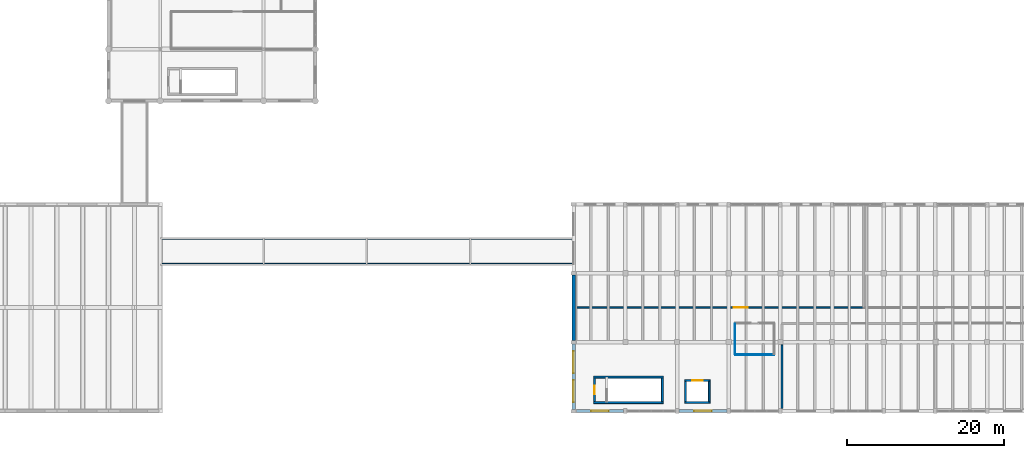
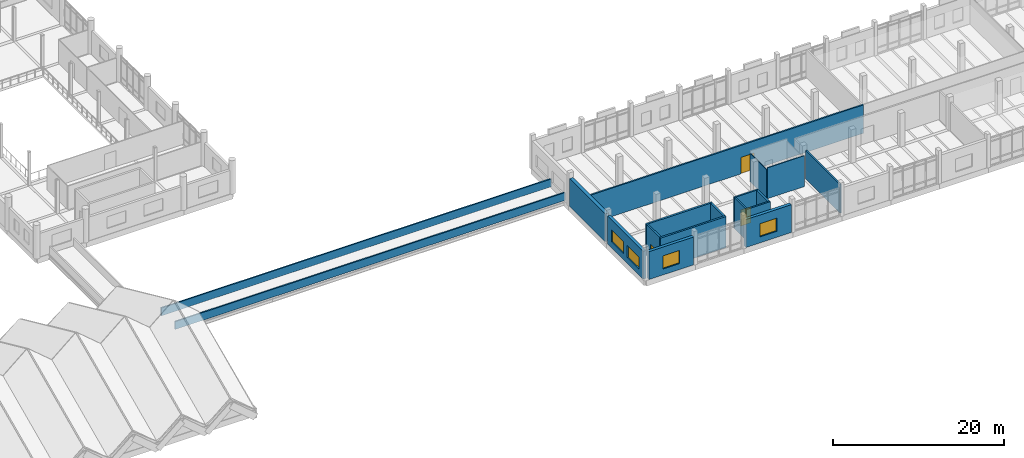
# One storey, part 48 of 76: 18 walls, 4 windows, 3 doors, 7 openings.
"""IFC4 building model written with IfcOpenShell, lengths in metres."""

from ifc_helpers import new_model, si_unit, direction, frame, frame_2d, origin, place, context, subcontext, project, spatial, rectangle, extrude, material, layer, layer_set, type_object, element, fill, save


model = new_model("IFC4")

# Units and contexts
model_context = context("Model", 3, precision=1e-05, world=origin(), true_north=direction((0.0, 1.0)))
body_context = subcontext(model_context, "Body", "Model", "MODEL_VIEW")
ifc_project = project(units=[si_unit("LENGTHUNIT", "METRE"), si_unit("AREAUNIT", "SQUARE_METRE"), si_unit("VOLUMEUNIT", "CUBIC_METRE"), si_unit("PLANEANGLEUNIT", "RADIAN"), si_unit("MASSUNIT", "GRAM", prefix="KILO")], contexts=[model_context])

# Site, building, storey
site_placement = place(None, origin())
site = spatial("IfcSite", under=ifc_project, at=site_placement, CompositionType="ELEMENT")
building_placement = place(site_placement, origin())
building = spatial("IfcBuilding", under=site, at=building_placement, Name="Dornvale Research Institute", CompositionType="ELEMENT")
storey_placement = place(building_placement, frame((0.0, 0.0, 15.0)))
storey = spatial("IfcBuildingStorey", under=building, at=storey_placement, Name="L03", CompositionType="ELEMENT", Elevation=15.0)

# Walls
ifc_material_1 = material(Name="Concrete f'c 40 MPa (C32/40)", Category="concrete")
ifc_layer_1 = layer(ifc_material_1, 0.179931640625)
ifc_layer_set_1 = layer_set([ifc_layer_1], Name="Concrete f'c 40 MPa (C32/40)")
wall_type_1 = type_object("IfcWallType", Name="Parapet_Terrace_180", PredefinedType="PARAPET", material=ifc_layer_set_1)
for number, where, z_axis, x_axis, name in (
    (1, (46.239990234375, 18.7900390625, 0.0), (0.0, 0.0, 1.0), (1.0, 0.0, 0.0), "L03 BRROOF-BR-6 parapet S"),
    (2, (46.239990234375, 22.010009765625, 0.0), (0.0, 0.0, 1.0), (1.0, 0.0, 0.0), "L03 BRROOF-BR-6 parapet N"),
):
    element("IfcWall", number, at=place(storey_placement, frame(where, z_axis=z_axis, x_axis=x_axis)), inside=storey, type_object=wall_type_1, Name=name, PredefinedType="PARAPET", context=body_context, shape_type="SweptSolid", body=[
        extrude(rectangle(XDim=52.719970703125, YDim=0.179931640625, at=frame_2d((26.35986328125, 0.0))), origin(), (0.0, 0.0, 1.0), 1.1201171875),
    ])

# Wall, opening, door
ifc_material_2 = material(Name="Fire-Rated Gypsum Board on Cold-Formed Steel Studs", Category="steel")
ifc_layer_2 = layer(ifc_material_2, 0.199951171875)
ifc_layer_set_2 = layer_set([ifc_layer_2], Name="Fire-Rated Gypsum Board on Cold-Formed Steel Studs")
wall_type_2 = type_object("IfcWallType", Name="Partition_FireWall_200", PredefinedType="PARTITIONING", material=ifc_layer_set_2)
wall_1_placement = place(storey_placement, frame((99.239990234375, 13.199951171875, 0.0), z_axis=(0.0, 0.0, 1.0), x_axis=(1.0, 0.0, 0.0)))
wall_1 = element("IfcWall", 3, at=wall_1_placement, inside=storey, type_object=wall_type_2, Name="L03 V3 interior partition #380", PredefinedType="PARTITIONING", context=body_context, shape_type="SweptSolid", body=[
    extrude(rectangle(XDim=36.760009765625, YDim=0.199951171875, at=frame_2d((18.3798828125, 0.0))), origin(), (0.0, 0.0, 1.0), 4.06494140625),
])
opening_1_placement = place(wall_1_placement, frame((20.22998046875, 0.0, 0.0)))
opening_1 = element("IfcOpeningElement", 4, at=opening_1_placement, cuts=wall_1, Name="Opening ID-14", PredefinedType="OPENING", context=body_context, shape_type="SweptSolid", body=[
    extrude(rectangle(XDim=1.760009765625, YDim=2.35009765625, at=frame_2d((0.8798828125, 1.175048828125))), frame((0.0, 0.114990234375, 0.0), z_axis=(0.0, -1.0, 0.0), x_axis=(1.0, 0.0, 0.0)), (0.0, 0.0, 1.0), 0.22998046875),
])
ifc_material_3 = material(Name="Insulated Fire-Rated Hollow Metal Door Assembly")
door_type_1 = type_object("IfcDoorType", Name="Door_Plant_1760x2350", OperationType="SINGLE_SWING_LEFT", PredefinedType="DOOR", material=ifc_material_3)
door_1_placement = place(opening_1_placement, origin())
door_1 = element("IfcDoor", 5, at=door_1_placement, inside=storey, type_object=door_type_1, Name="L03 Make-Up Air Handling and HEPA Recirculation Plant Room door #153", OperationType="DOUBLE_DOOR_SINGLE_SWING", OverallHeight=2.35009765625, OverallWidth=1.760009765625, PredefinedType="DOOR", context=body_context, shape_type="SweptSolid", body=[
    extrude(rectangle(XDim=1.760009765625, YDim=2.35009765625, at=frame_2d((0.8798828125, 1.175048828125))), frame((0.0, 0.02490234375, 0.0), z_axis=(0.0, -1.0, 0.0), x_axis=(1.0, 0.0, 0.0)), (0.0, 0.0, 1.0), 0.050048828125),
])
fill(opening_1, door_1)

# Walls
wall_2_placement = place(storey_placement, frame((125.60009765625, 0.344970703125, 0.0), z_axis=(0.0, 0.0, 1.0), x_axis=(0.0, 1.0, 0.0)))
element("IfcWall", 6, at=wall_2_placement, inside=storey, type_object=wall_type_2, Name="L03 V3 interior partition #386", PredefinedType="PARTITIONING", context=body_context, shape_type="SweptSolid", body=[
    extrude(rectangle(XDim=8.110107421875, YDim=0.199951171875, at=frame_2d((4.05517578125, 0.0))), origin(), (0.0, 0.0, 1.0), 4.06494140625),
])
ifc_material_4 = material(Name="Acoustic Insulated Double-Stud Laboratory Partition")
ifc_layer_3 = layer(ifc_material_4, 0.10009765625)
ifc_layer_set_3 = layer_set([ifc_layer_3], Name="Acoustic Insulated Double-Stud Laboratory Partition")
wall_type_3 = type_object("IfcWallType", Name="Partition_Office_100", PredefinedType="PARTITIONING", material=ifc_layer_set_3)
wall_3_placement = place(storey_placement, frame((119.60009765625, 7.199951171875, 0.0), z_axis=(0.0, 0.0, 1.0), x_axis=(1.0, 0.0, 0.0)))
element("IfcWall", 7, at=wall_3_placement, inside=storey, type_object=wall_type_3, Name="L03 V3 interior partition #376", PredefinedType="PARTITIONING", context=body_context, shape_type="SweptSolid", body=[
    extrude(rectangle(XDim=5.0, YDim=0.10009765625, at=frame_2d((2.5, 0.0))), origin(), (0.0, 0.0, 1.0), 4.419921875),
])
wall_4_placement = place(storey_placement, frame((119.60009765625, 7.264892578125, 0.0), z_axis=(0.0, 0.0, 1.0), x_axis=(0.0, 1.0, 0.0)))
element("IfcWall", 8, at=wall_4_placement, inside=storey, type_object=wall_type_3, Name="L03 V3 interior partition #378", PredefinedType="PARTITIONING", context=body_context, shape_type="SweptSolid", body=[
    extrude(rectangle(XDim=3.8701171875, YDim=0.10009765625, at=frame_2d((1.93505859375, 0.0))), origin(), (0.0, 0.0, 1.0), 4.06494140625),
])
ifc_material_5 = material(Name="Concrete f'c 45 MPa (C35/45)", Category="concrete")
ifc_layer_4 = layer(ifc_material_5, 0.25)
ifc_layer_set_4 = layer_set([ifc_layer_4], Name="Concrete f'c 45 MPa (C35/45)")
wall_type_4 = type_object("IfcWallType", Name="ShearWall_Core_250", PredefinedType="SHEAR", material=ifc_layer_set_4)
for number, where, z_axis, x_axis, name in (
    (9, (101.550048828125, 1.074951171875, 0.0), (0.0, 0.0, 1.0), (1.0, 0.0, 0.0), "L03 ST-5 shaft shear wall south"),
    (10, (101.550048828125, 4.324951171875, 0.0), (0.0, 0.0, 1.0), (1.0, 0.0, 0.0), "L03 ST-5 shaft shear wall north"),
):
    element("IfcWall", number, at=place(storey_placement, frame(where, z_axis=z_axis, x_axis=x_axis)), inside=storey, type_object=wall_type_4, Name=name, PredefinedType="SHEAR", context=body_context, shape_type="SweptSolid", body=[
        extrude(rectangle(XDim=8.89990234375, YDim=0.25, at=frame_2d((4.449951171875, 0.0))), origin(), (0.0, 0.0, 1.0), 4.43994140625),
    ])

# Wall, opening, door
wall_5_placement = place(storey_placement, frame((101.675048828125, 1.199951171875, 0.0), z_axis=(0.0, 0.0, 1.0), x_axis=(0.0, 1.0, 0.0)))
wall_5 = element("IfcWall", 11, at=wall_5_placement, inside=storey, type_object=wall_type_4, Name="L03 ST-5 shaft shear wall west", PredefinedType="SHEAR", context=body_context, shape_type="SweptSolid", body=[
    extrude(rectangle(XDim=3.0, YDim=0.25, at=frame_2d((1.5, 0.0))), origin(), (0.0, 0.0, 1.0), 4.43994140625),
])
opening_2_placement = place(wall_5_placement, frame((0.93994140625, 0.0, 0.0)))
opening_2 = element("IfcOpeningElement", 12, at=opening_2_placement, cuts=wall_5, Name="Opening SD-01", PredefinedType="OPENING", context=body_context, shape_type="SweptSolid", body=[
    extrude(rectangle(XDim=1.1201171875, YDim=2.199951171875, at=frame_2d((0.56005859375, 1.10009765625))), frame((0.0, 0.139892578125, 0.0), z_axis=(0.0, -1.0, 0.0), x_axis=(1.0, 0.0, 0.0)), (0.0, 0.0, 1.0), 0.280029296875),
])
ifc_material_6 = material(Name="Insulated Fire-Rated Hollow Metal Door Assembly")
door_type_2 = type_object("IfcDoorType", Name="Door_Stair_1120x2200", OperationType="SINGLE_SWING_LEFT", PredefinedType="DOOR", material=ifc_material_6)
door_2_placement = place(opening_2_placement, origin())
door_2 = element("IfcDoor", 13, at=door_2_placement, inside=storey, type_object=door_type_2, Name="L03 ST-5 exit stair door #45", OperationType="SINGLE_SWING_LEFT", OverallHeight=2.199951171875, OverallWidth=1.1201171875, PredefinedType="DOOR", context=body_context, shape_type="SweptSolid", body=[
    extrude(rectangle(XDim=1.1201171875, YDim=2.199951171875, at=frame_2d((0.56005859375, 1.10009765625))), frame((0.0, 0.02490234375, 0.0), z_axis=(0.0, -1.0, 0.0), x_axis=(1.0, 0.0, 0.0)), (0.0, 0.0, 1.0), 0.050048828125),
])
fill(opening_2, door_2)

# Walls
wall_6_placement = place(storey_placement, frame((110.324951171875, 1.199951171875, 0.0), z_axis=(0.0, 0.0, 1.0), x_axis=(0.0, 1.0, 0.0)))
element("IfcWall", 14, at=wall_6_placement, inside=storey, type_object=wall_type_4, Name="L03 ST-5 shaft shear wall east", PredefinedType="SHEAR", context=body_context, shape_type="SweptSolid", body=[
    extrude(rectangle(XDim=3.0, YDim=0.25, at=frame_2d((1.5, 0.0))), origin(), (0.0, 0.0, 1.0), 4.43994140625),
])
ifc_material_7 = material(Name="Concrete f'c 45 MPa (C35/45)", Category="concrete")
ifc_layer_5 = layer(ifc_material_7, 0.219970703125)
ifc_layer_set_5 = layer_set([ifc_layer_5], Name="Concrete f'c 45 MPa (C35/45)")
wall_type_5 = type_object("IfcWallType", Name="ShearWall_Shaft_220", PredefinedType="SHEAR", material=ifc_layer_set_5)
wall_7_placement = place(storey_placement, frame((113.179931640625, 1.090087890625, 0.0), z_axis=(0.0, 0.0, 1.0), x_axis=(1.0, 0.0, 0.0)))
element("IfcWall", 15, at=wall_7_placement, inside=storey, type_object=wall_type_5, Name="L03 LC1 elevator shaft wall south", PredefinedType="SHEAR", context=body_context, shape_type="SweptSolid", body=[
    extrude(rectangle(XDim=3.239990234375, YDim=0.219970703125, at=frame_2d((1.6201171875, 0.0))), origin(), (0.0, 0.0, 1.0), 4.43994140625),
])

# Wall, opening, door
wall_8_placement = place(storey_placement, frame((113.179931640625, 3.909912109375, 0.0), z_axis=(0.0, 0.0, 1.0), x_axis=(1.0, 0.0, 0.0)))
wall_8 = element("IfcWall", 16, at=wall_8_placement, inside=storey, type_object=wall_type_5, Name="L03 LC1 elevator shaft wall north", PredefinedType="SHEAR", context=body_context, shape_type="SweptSolid", body=[
    extrude(rectangle(XDim=3.239990234375, YDim=0.219970703125, at=frame_2d((1.6201171875, 0.0))), origin(), (0.0, 0.0, 1.0), 4.43994140625),
])
opening_3_placement = place(wall_8_placement, frame((0.945068359375, 0.0, 0.0)))
opening_3 = element("IfcOpeningElement", 17, at=opening_3_placement, cuts=wall_8, Name="Opening LD-04", PredefinedType="OPENING", context=body_context, shape_type="SweptSolid", body=[
    extrude(rectangle(XDim=1.35009765625, YDim=2.300048828125, at=frame_2d((0.675048828125, 1.14990234375))), frame((0.0, 0.125, 0.0), z_axis=(0.0, -1.0, 0.0), x_axis=(1.0, 0.0, 0.0)), (0.0, 0.0, 1.0), 0.25),
])
ifc_material_8 = material(Name="Brushed Stainless Steel Sliding Elevator Landing Door", Category="steel")
door_type_3 = type_object("IfcDoorType", Name="Door_LiftLanding_Clean_1350x2300", OperationType="SINGLE_SWING_LEFT", PredefinedType="DOOR", material=ifc_material_8)
door_3_placement = place(opening_3_placement, origin())
door_3 = element("IfcDoor", 18, at=door_3_placement, inside=storey, type_object=door_type_3, Name="L03 LC1 sliding elevator landing door #57", OperationType="SLIDING_TO_LEFT", OverallHeight=2.300048828125, OverallWidth=1.35009765625, PredefinedType="DOOR", context=body_context, shape_type="SweptSolid", body=[
    extrude(rectangle(XDim=1.35009765625, YDim=2.300048828125, at=frame_2d((0.675048828125, 1.14990234375))), frame((0.0, 0.02490234375, 0.0), z_axis=(0.0, -1.0, 0.0), x_axis=(1.0, 0.0, 0.0)), (0.0, 0.0, 1.0), 0.050048828125),
])
fill(opening_3, door_3)

# Walls
for number, where, z_axis, x_axis, name in (
    (19, (113.2900390625, 1.199951171875, 0.0), (0.0, 0.0, 1.0), (0.0, 1.0, 0.0), "L03 LC1 elevator shaft wall west"),
    (20, (116.31005859375, 1.199951171875, 0.0), (0.0, 0.0, 1.0), (0.0, 1.0, 0.0), "L03 LC1 elevator shaft wall east"),
):
    element("IfcWall", number, at=place(storey_placement, frame(where, z_axis=z_axis, x_axis=x_axis)), inside=storey, type_object=wall_type_5, Name=name, PredefinedType="SHEAR", context=body_context, shape_type="SweptSolid", body=[
        extrude(rectangle(XDim=2.60009765625, YDim=0.219970703125, at=frame_2d((1.300048828125, 0.0))), origin(), (0.0, 0.0, 1.0), 4.43994140625),
    ])
ifc_material_9 = material(Name="Precast Concrete f'c 40 MPa (C32/40) and Glazed Terracotta Backup Wall", Category="masonry")
ifc_layer_6 = layer(ifc_material_9, 0.449951171875)
ifc_layer_set_6 = layer_set([ifc_layer_6], Name="Precast Concrete f'c 40 MPa (C32/40) and Glazed Terracotta Backup Wall")
wall_type_6 = type_object("IfcWallType", Name="SolidWall_ShearBraceBay_450", PredefinedType="SOLIDWALL", material=ifc_layer_set_6)
wall_9_placement = place(storey_placement, frame((99.0, 9.02490234375, 0.0), z_axis=(0.0, 0.0, 1.0), x_axis=(0.0, 1.0, 0.0)))
element("IfcWall", 21, at=wall_9_placement, inside=storey, type_object=wall_type_6, Name="L03 V3 west exterior wall #167", PredefinedType="SOLIDWALL", context=body_context, shape_type="SweptSolid", body=[
    extrude(rectangle(XDim=8.35009765625, YDim=0.449951171875, at=frame_2d((4.175048828125, 0.0))), origin(), (0.0, 0.0, 1.0), 3.97998046875),
])

# Wall, openings, windows
ifc_material_10 = material(Name="Precast Concrete f'c 40 MPa (C32/40) and Glazed Terracotta Backup Wall", Category="masonry")
ifc_layer_7 = layer(ifc_material_10, 0.39990234375)
ifc_layer_set_7 = layer_set([ifc_layer_7], Name="Precast Concrete f'c 40 MPa (C32/40) and Glazed Terracotta Backup Wall")
wall_type_7 = type_object("IfcWallType", Name="StandardWall_CleanroomExt_400", PredefinedType="STANDARD", material=ifc_layer_set_7)
wall_10_placement = place(storey_placement, frame((99.0, 0.22509765625, 0.0), z_axis=(0.0, 0.0, 1.0), x_axis=(0.0, 1.0, 0.0)))
wall_10 = element("IfcWall", 22, at=wall_10_placement, inside=storey, type_object=wall_type_7, Name="L03 V3 west exterior wall #166", PredefinedType="STANDARD", context=body_context, shape_type="SweptSolid", body=[
    extrude(rectangle(XDim=8.349853515625, YDim=0.39990234375, at=frame_2d((4.1748046875, 0.0))), origin(), (0.0, 0.0, 1.0), 3.97998046875),
])
opening_4_placement = place(wall_10_placement, frame((0.916748046875, 0.0, 0.85009765625)))
opening_4 = element("IfcOpeningElement", 23, at=opening_4_placement, cuts=wall_10, Name="Opening W-23", PredefinedType="OPENING", context=body_context, shape_type="SweptSolid", body=[
    extrude(rectangle(XDim=2.800048828125, YDim=1.699951171875, at=frame_2d((1.39990234375, 0.85009765625))), frame((0.0, 0.21484375, 0.0), z_axis=(0.0, -1.0, 0.0), x_axis=(1.0, 0.0, 0.0)), (0.0, 0.0, 1.0), 0.429931640625),
])
opening_5_placement = place(wall_10_placement, frame((4.63330078125, 0.0, 0.85009765625)))
opening_5 = element("IfcOpeningElement", 24, at=opening_5_placement, cuts=wall_10, Name="Opening W-23", PredefinedType="OPENING", context=body_context, shape_type="SweptSolid", body=[
    extrude(rectangle(XDim=2.800048828125, YDim=1.699951171875, at=frame_2d((1.39990234375, 0.85009765625))), frame((0.0, 0.21484375, 0.0), z_axis=(0.0, -1.0, 0.0), x_axis=(1.0, 0.0, 0.0)), (0.0, 0.0, 1.0), 0.429931640625),
])
ifc_material_11 = material(Name="Low-E Argon Double Insulating Glazing Unit", Category="glass")
window_type_1 = type_object("IfcWindowType", Name="Window_Alu_2800x1700_23", PartitioningType="DOUBLE_PANEL_VERTICAL", PredefinedType="WINDOW", material=ifc_material_11)
window_1_placement = place(opening_4_placement, origin())
window_1 = element("IfcWindow", 25, at=window_1_placement, inside=storey, type_object=window_type_1, Name="L03 V3 facade window W-23 #222", OverallHeight=1.699951171875, OverallWidth=2.800048828125, PartitioningType="DOUBLE_PANEL_VERTICAL", PredefinedType="WINDOW", context=body_context, shape_type="SweptSolid", body=[
    extrude(rectangle(XDim=2.800048828125, YDim=1.699951171875, at=frame_2d((1.39990234375, 0.85009765625))), frame((0.0, 0.030029296875, 0.0), z_axis=(0.0, -1.0, 0.0), x_axis=(1.0, 0.0, 0.0)), (0.0, 0.0, 1.0), 0.06005859375),
])
fill(opening_4, window_1)
window_2_placement = place(opening_5_placement, origin())
window_2 = element("IfcWindow", 26, at=window_2_placement, inside=storey, type_object=window_type_1, Name="L03 V3 facade window W-23 #223", OverallHeight=1.699951171875, OverallWidth=2.800048828125, PartitioningType="DOUBLE_PANEL_VERTICAL", PredefinedType="WINDOW", context=body_context, shape_type="SweptSolid", body=[
    extrude(rectangle(XDim=2.800048828125, YDim=1.699951171875, at=frame_2d((1.39990234375, 0.85009765625))), frame((0.0, 0.030029296875, 0.0), z_axis=(0.0, -1.0, 0.0), x_axis=(1.0, 0.0, 0.0)), (0.0, 0.0, 1.0), 0.06005859375),
])
fill(opening_5, window_2)

# Wall, opening, window
wall_11_placement = place(storey_placement, frame((118.574951171875, 0.0, 0.0), z_axis=(0.0, 0.0, 1.0), x_axis=(-1.0, 0.0, 0.0)))
wall_11 = element("IfcWall", 27, at=wall_11_placement, inside=storey, type_object=wall_type_7, Name="L03 V3 south exterior wall #182", PredefinedType="STANDARD", context=body_context, shape_type="SweptSolid", body=[
    extrude(rectangle(XDim=6.14990234375, YDim=0.39990234375, at=frame_2d((3.074951171875, 0.0))), origin(), (0.0, 0.0, 1.0), 3.97998046875),
])
opening_6_placement = place(wall_11_placement, frame((1.949951171875, 0.0, 0.85009765625)))
opening_6 = element("IfcOpeningElement", 28, at=opening_6_placement, cuts=wall_11, Name="Opening W-32", PredefinedType="OPENING", context=body_context, shape_type="SweptSolid", body=[
    extrude(rectangle(XDim=2.25, YDim=1.8798828125, at=frame_2d((1.125, 0.93994140625))), frame((0.0, 0.21484375, 0.0), z_axis=(0.0, -1.0, 0.0), x_axis=(1.0, 0.0, 0.0)), (0.0, 0.0, 1.0), 0.429931640625),
])
ifc_material_12 = material(Name="Low-E Argon Double Insulating Glazing Unit", Category="glass")
window_type_2 = type_object("IfcWindowType", Name="Window_Alu_2250x1880_32", PartitioningType="DOUBLE_PANEL_VERTICAL", PredefinedType="WINDOW", material=ifc_material_12)
window_3_placement = place(opening_6_placement, origin())
window_3 = element("IfcWindow", 29, at=window_3_placement, inside=storey, type_object=window_type_2, Name="L03 V3 facade window W-32 #248", OverallHeight=1.8798828125, OverallWidth=2.25, PartitioningType="DOUBLE_PANEL_VERTICAL", PredefinedType="WINDOW", context=body_context, shape_type="SweptSolid", body=[
    extrude(rectangle(XDim=2.25, YDim=1.8798828125, at=frame_2d((1.125, 0.93994140625))), frame((0.0, 0.030029296875, 0.0), z_axis=(0.0, -1.0, 0.0), x_axis=(1.0, 0.0, 0.0)), (0.0, 0.0, 1.0), 0.06005859375),
])
fill(opening_6, window_3)

wall_12_placement = place(storey_placement, frame((105.375, 0.0, 0.0), z_axis=(0.0, 0.0, 1.0), x_axis=(-1.0, 0.0, 0.0)))
wall_12 = element("IfcWall", 30, at=wall_12_placement, inside=storey, type_object=wall_type_7, Name="L03 V3 south exterior wall #183", PredefinedType="STANDARD", context=body_context, shape_type="SweptSolid", body=[
    extrude(rectangle(XDim=6.050048828125, YDim=0.39990234375, at=frame_2d((3.02490234375, 0.0))), origin(), (0.0, 0.0, 1.0), 3.97998046875),
])
opening_7_placement = place(wall_12_placement, frame((1.89990234375, 0.0, 0.85009765625)))
opening_7 = element("IfcOpeningElement", 31, at=opening_7_placement, cuts=wall_12, Name="Opening W-32", PredefinedType="OPENING", context=body_context, shape_type="SweptSolid", body=[
    extrude(rectangle(XDim=2.25, YDim=1.8798828125, at=frame_2d((1.125, 0.93994140625))), frame((0.0, 0.21484375, 0.0), z_axis=(0.0, -1.0, 0.0), x_axis=(1.0, 0.0, 0.0)), (0.0, 0.0, 1.0), 0.429931640625),
])
window_4_placement = place(opening_7_placement, origin())
window_4 = element("IfcWindow", 32, at=window_4_placement, inside=storey, type_object=window_type_2, Name="L03 V3 facade window W-32 #249", OverallHeight=1.8798828125, OverallWidth=2.25, PartitioningType="DOUBLE_PANEL_VERTICAL", PredefinedType="WINDOW", context=body_context, shape_type="SweptSolid", body=[
    extrude(rectangle(XDim=2.25, YDim=1.8798828125, at=frame_2d((1.125, 0.93994140625))), frame((0.0, 0.030029296875, 0.0), z_axis=(0.0, -1.0, 0.0), x_axis=(1.0, 0.0, 0.0)), (0.0, 0.0, 1.0), 0.06005859375),
])
fill(opening_7, window_4)

save(model, "model.ifc")
